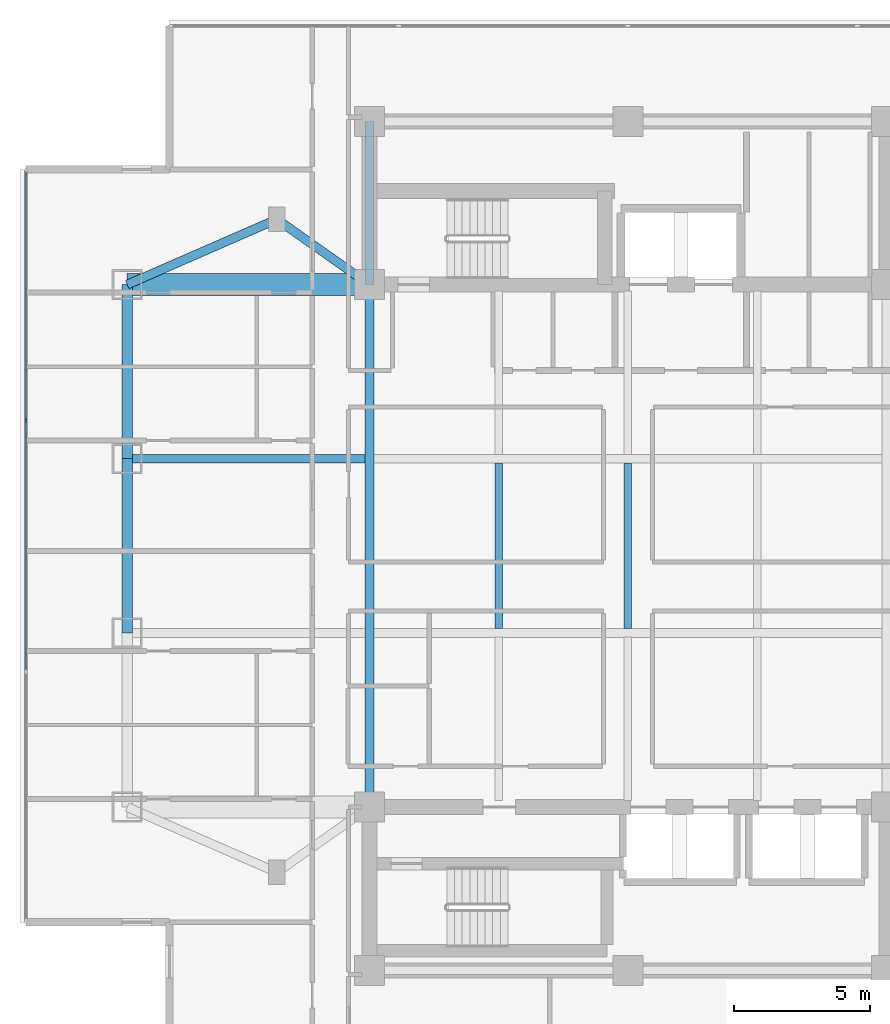
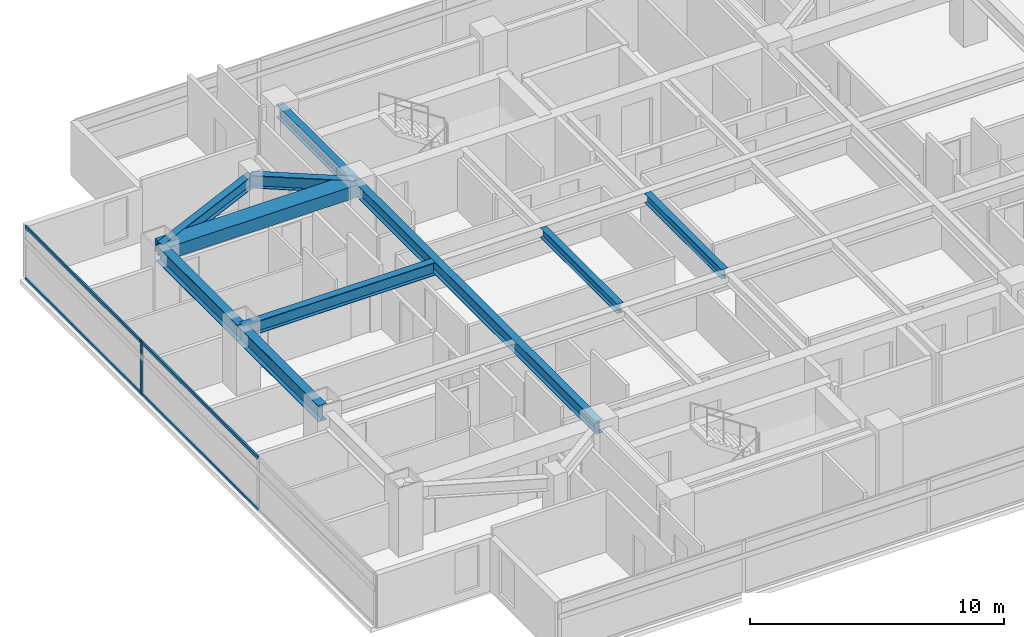
# One storey, part 3 of 24: 10 beams, 5 members, 1 element without a shape of its own.
"""IFC4 building model written with IfcOpenShell, lengths in metres."""

from ifc_helpers import new_model, si_unit, direction, frame, origin, origin_2d, place, context, subcontext, project, spatial, rectangle, i_section, extrude, material, material_profile, profile_set, type_object, element, aggregate, save


model = new_model("IFC4")

# Units and contexts
model_context = context("Model", 3, precision=1e-05, world=origin(), true_north=direction((0.0, 1.0)))
body_context = subcontext(model_context, "Body", "Model", "MODEL_VIEW")
ifc_project = project(units=[si_unit("LENGTHUNIT", "METRE"), si_unit("AREAUNIT", "SQUARE_METRE"), si_unit("VOLUMEUNIT", "CUBIC_METRE"), si_unit("PLANEANGLEUNIT", "RADIAN"), si_unit("MASSUNIT", "GRAM", prefix="KILO")], contexts=[model_context])

# Site, building, storey
site_placement = place(None, origin())
site = spatial("IfcSite", under=ifc_project, at=site_placement, CompositionType="ELEMENT")
building_placement = place(site_placement, origin())
building = spatial("IfcBuilding", under=site, at=building_placement, Name="Mirazonda Arch Towers", CompositionType="ELEMENT")
storey_placement = place(building_placement, frame((0.0, 0.0, 144.5)))
storey = spatial("IfcBuildingStorey", under=building, at=storey_placement, Name="L41", CompositionType="ELEMENT", Elevation=144.5)

# Beams
ifc_material_1 = material(Name="Steel ASTM A992 Grade 50", Category="steel")
ifc_material_profile_1 = material_profile(ifc_material_1, i_section(OverallWidth=0.381103515625, OverallDepth=0.77294921875, WebThickness=0.0166015625, FlangeThickness=0.027099609375, at=origin_2d()), Name="W30X173")
ifc_profile_set_1 = profile_set([ifc_material_profile_1], Name="Steel ASTM A992 Grade 50")
beam_type_1 = type_object("IfcBeamType", Name="BM-EXT-W30X173", PredefinedType="USERDEFINED", material=ifc_profile_set_1)
beam_1_placement = place(storey_placement, frame((2.10009765625, 24.800048828125, 2.553466796875), z_axis=(0.0, 1.0, 0.0), x_axis=(-1.0, 0.0, 0.0)))
element("IfcBeam", 1, at=beam_1_placement, inside=storey, type_object=beam_type_1, Name="L41 Floor Beam BMT-T1-L41-NS-W-24", ObjectType="GIRDER", PredefinedType="USERDEFINED", context=body_context, shape_type="SweptSolid", body=[
    extrude(i_section(OverallWidth=0.381103515625, OverallDepth=0.77294921875, WebThickness=0.0166015625, FlangeThickness=0.027099609375, at=origin_2d()), origin(), (0.0, 0.0, 1.0), 6.39990234375),
])
beam_2_placement = place(storey_placement, frame((2.10009765625, 31.199951171875, 2.553466796875), z_axis=(0.0, 1.0, 0.0), x_axis=(-1.0, 0.0, 0.0)))
element("IfcBeam", 2, at=beam_2_placement, inside=storey, type_object=beam_type_1, Name="L41 Floor Beam BMT-T1-L41-NS-W-31", ObjectType="GIRDER", PredefinedType="USERDEFINED", context=body_context, shape_type="SweptSolid", body=[
    extrude(i_section(OverallWidth=0.381103515625, OverallDepth=0.77294921875, WebThickness=0.0166015625, FlangeThickness=0.027099609375, at=origin_2d()), origin(), (0.0, 0.0, 1.0), 6.400146484375),
])
ifc_material_profile_2 = material_profile(ifc_material_1, i_section(OverallWidth=0.280029296875, OverallDepth=0.462890625, WebThickness=0.0107421875, FlangeThickness=0.017333984375, at=origin_2d()), Name="W18X76")
ifc_profile_set_2 = profile_set([ifc_material_profile_2], Name="Steel ASTM A992 Grade 50")
beam_type_2 = type_object("IfcBeamType", Name="BM-INT-W18X76", PredefinedType="JOIST", material=ifc_profile_set_2)
for number, where, z_axis, x_axis, name in (
    (3, (15.75, 24.95849609375, 2.70849609375), (0.0, 1.0, 0.0), (-1.0, 0.0, 0.0), "L41 Floor Beam BMT-T1-L41-J-157-24"),
    (4, (20.5, 24.95849609375, 2.70849609375), (0.0, 1.0, 0.0), (-1.0, 0.0, 0.0), "L41 Floor Beam BMT-T1-L41-J-205-24"),
):
    element("IfcBeam", number, at=place(storey_placement, frame(where, z_axis=z_axis, x_axis=x_axis)), inside=storey, type_object=beam_type_2, Name=name, PredefinedType="JOIST", context=body_context, shape_type="SweptSolid", body=[
        extrude(i_section(OverallWidth=0.280029296875, OverallDepth=0.462890625, WebThickness=0.0107421875, FlangeThickness=0.017333984375, at=origin_2d()), origin(), (0.0, 0.0, 1.0), 6.0830078125),
    ])
ifc_material_profile_3 = material_profile(ifc_material_1, i_section(OverallWidth=0.324951171875, OverallDepth=0.615966796875, WebThickness=0.013916015625, FlangeThickness=0.021484375, at=origin_2d()), Name="W24X117")
ifc_profile_set_3 = profile_set([ifc_material_profile_3], Name="Steel ASTM A992 Grade 50")
beam_type_3 = type_object("IfcBeamType", Name="BM-INT-W24X117", PredefinedType="BEAM", material=ifc_profile_set_3)
beam_3_placement = place(storey_placement, frame((2.10009765625, 31.199951171875, 2.632080078125), z_axis=(1.0, 0.0, 0.0), x_axis=(0.0, 1.0, 0.0)))
element("IfcBeam", 5, at=beam_3_placement, inside=storey, type_object=beam_type_3, Name="L41 Floor Beam BMT-T1-L41-GW3", PredefinedType="BEAM", context=body_context, shape_type="SweptSolid", body=[
    extrude(i_section(OverallWidth=0.324951171875, OverallDepth=0.615966796875, WebThickness=0.013916015625, FlangeThickness=0.021484375, at=origin_2d()), origin(), (0.0, 0.0, 1.0), 8.7373046875),
])
beam_4_placement = place(storey_placement, frame((11.0, 37.60009765625, 2.632080078125), z_axis=(0.0, 1.0, 0.0), x_axis=(-1.0, 0.0, 0.0)))
element("IfcBeam", 6, at=beam_4_placement, inside=storey, type_object=beam_type_3, Name="L41 Floor Beam BMT-T1-L41-CNW", PredefinedType="BEAM", context=body_context, shape_type="SweptSolid", body=[
    extrude(i_section(OverallWidth=0.324951171875, OverallDepth=0.615966796875, WebThickness=0.013916015625, FlangeThickness=0.021484375, at=origin_2d()), origin(), (0.0, 0.0, 1.0), 6.0),
])
beam_5_placement = place(storey_placement, frame((11.0, 18.39990234375, 2.632080078125), z_axis=(0.0, 1.0, 0.0), x_axis=(-1.0, 0.0, 0.0)))
element("IfcBeam", 7, at=beam_5_placement, inside=storey, type_object=beam_type_3, Name="L41 Floor Beam BMT-T1-L41-NS-CW-FULL", PredefinedType="BEAM", context=body_context, shape_type="SweptSolid", body=[
    extrude(i_section(OverallWidth=0.324951171875, OverallDepth=0.615966796875, WebThickness=0.013916015625, FlangeThickness=0.021484375, at=origin_2d()), origin(), (0.0, 0.0, 1.0), 19.2001953125),
])
beam_6_placement = place(storey_placement, frame((7.60009765625, 40.0, 2.632080078125), z_axis=(0.816971114901, -0.576678591087, 0.0), x_axis=(0.576678591087, 0.816971114901, 0.0)))
element("IfcBeam", 8, at=beam_6_placement, inside=storey, type_object=beam_type_3, Name="L41 Floor Beam BMT-T1-L41-PL-NW1", PredefinedType="BEAM", context=body_context, shape_type="SweptSolid", body=[
    extrude(i_section(OverallWidth=0.324951171875, OverallDepth=0.615966796875, WebThickness=0.013916015625, FlangeThickness=0.021484375, at=origin_2d()), origin(), (0.0, 0.0, 1.0), 4.16162109375),
])
beam_7_placement = place(storey_placement, frame((7.60009765625, 40.0, 2.632080078125), z_axis=(-0.916545343703, -0.399930785183, 0.0), x_axis=(0.399930785183, -0.916545343703, 0.0)))
element("IfcBeam", 9, at=beam_7_placement, inside=storey, type_object=beam_type_3, Name="L41 Floor Beam BMT-T1-L41-PL-NW2", PredefinedType="BEAM", context=body_context, shape_type="SweptSolid", body=[
    extrude(i_section(OverallWidth=0.324951171875, OverallDepth=0.615966796875, WebThickness=0.013916015625, FlangeThickness=0.021484375, at=origin_2d()), origin(), (0.0, 0.0, 1.0), 6.000732421875),
])
ifc_material_2 = material(Name="Concrete C60/75", Category="concrete")
ifc_material_profile_4 = material_profile(ifc_material_2, rectangle(XDim=0.800048828125, YDim=0.60009765625, at=origin_2d()), Name="RCCB800x600")
ifc_profile_set_4 = profile_set([ifc_material_profile_4], Name="Concrete C60/75")
beam_type_4 = type_object("IfcBeamType", Name="CB-INT-RCCB800x600", PredefinedType="SPANDREL", material=ifc_profile_set_4)
beam_8_placement = place(storey_placement, frame((2.10009765625, 37.60009765625, 2.639892578125), z_axis=(1.0, 0.0, 0.0), x_axis=(0.0, 1.0, 0.0)))
element("IfcBeam", 10, at=beam_8_placement, inside=storey, type_object=beam_type_4, Name="L41 Floor Beam CBC-T1-L41-NW", PredefinedType="SPANDREL", context=body_context, shape_type="SweptSolid", body=[
    extrude(rectangle(XDim=0.800048828125, YDim=0.60009765625, at=origin_2d()), origin(), (0.0, 0.0, 1.0), 8.89990234375),
])

# Curtain wall, members
ifc_material_3 = material(Name="Anodised Aluminium and Low-E Glass", Category="aluminium")
curtain_wall_type = type_object("IfcCurtainWallType", Name="CW-HTL-UNIT", PredefinedType="NOTDEFINED", material=ifc_material_3)
curtain_wall_placement = place(storey_placement, origin())
curtain_wall = element("IfcCurtainWall", 11, at=curtain_wall_placement, inside=storey, type_object=curtain_wall_type, Name="L41 T1 W Facade CW-L41-T1-W", PredefinedType="NOTDEFINED")
ifc_material_4 = material(Name="Anodised Aluminium Alloy", Category="aluminium")
ifc_material_profile_5 = material_profile(ifc_material_4, rectangle(XDim=0.074951171875, YDim=0.1650390625, at=origin_2d()), Name="ALU-MULL-75x165")
ifc_profile_set_5 = profile_set([ifc_material_profile_5], Name="Anodised Aluminium Alloy")
member_type_1 = type_object("IfcMemberType", Name="MULL-CW-HTL-UNIT", PredefinedType="MULLION", material=ifc_profile_set_5)
member_1_placement = place(storey_placement, frame((-1.6201171875, 32.611328125, 0.0), z_axis=(0.0, 0.0, 1.0), x_axis=(1.0, 0.0, 0.0)))
member_1 = element("IfcMember", 12, at=member_1_placement, type_object=member_type_1, Name="CW-112 mullion 2", PredefinedType="MULLION", context=body_context, shape_type="SweptSolid", body=[
    extrude(rectangle(XDim=0.074951171875, YDim=0.1650390625, at=origin_2d()), origin(), (0.0, 0.0, 1.0), 2.56005859375),
])
ifc_material_profile_6 = material_profile(ifc_material_4, rectangle(XDim=0.074951171875, YDim=0.14501953125, at=origin_2d()), Name="ALU-TRAN-75x145")
ifc_profile_set_6 = profile_set([ifc_material_profile_6], Name="Anodised Aluminium Alloy")
member_type_2 = type_object("IfcMemberType", Name="TRAN-CW-HTL-UNIT", PredefinedType="USERDEFINED", material=ifc_profile_set_6)
member_2_placement = place(storey_placement, frame((-1.6201171875, 41.759033203125, 0.03759765625), z_axis=(0.0, -1.0, 0.0), x_axis=(1.0, 0.0, 0.0)))
member_2 = element("IfcMember", 13, at=member_2_placement, type_object=member_type_2, Name="CW-112 transom 1.1", ObjectType="TRANSOM", PredefinedType="USERDEFINED", context=body_context, shape_type="SweptSolid", body=[
    extrude(rectangle(XDim=0.074951171875, YDim=0.14501953125, at=origin_2d()), origin(), (0.0, 0.0, 1.0), 9.110107421875),
])
member_3_placement = place(storey_placement, frame((-1.6201171875, 41.759033203125, 2.5224609375), z_axis=(0.0, -1.0, 0.0), x_axis=(1.0, 0.0, 0.0)))
member_3 = element("IfcMember", 14, at=member_3_placement, type_object=member_type_2, Name="CW-112 transom 1.2", ObjectType="TRANSOM", PredefinedType="USERDEFINED", context=body_context, shape_type="SweptSolid", body=[
    extrude(rectangle(XDim=0.074951171875, YDim=0.14501953125, at=origin_2d()), origin(), (0.0, 0.0, 1.0), 9.110107421875),
])
member_4_placement = place(storey_placement, frame((-1.6201171875, 32.57373046875, 0.03759765625), z_axis=(0.0, -1.0, 0.0), x_axis=(1.0, 0.0, 0.0)))
member_4 = element("IfcMember", 15, at=member_4_placement, type_object=member_type_2, Name="CW-112 transom 2.1", ObjectType="TRANSOM", PredefinedType="USERDEFINED", context=body_context, shape_type="SweptSolid", body=[
    extrude(rectangle(XDim=0.074951171875, YDim=0.14501953125, at=origin_2d()), origin(), (0.0, 0.0, 1.0), 9.1474609375),
])
member_5_placement = place(storey_placement, frame((-1.6201171875, 32.57373046875, 2.5224609375), z_axis=(0.0, -1.0, 0.0), x_axis=(1.0, 0.0, 0.0)))
member_5 = element("IfcMember", 16, at=member_5_placement, type_object=member_type_2, Name="CW-112 transom 2.2", ObjectType="TRANSOM", PredefinedType="USERDEFINED", context=body_context, shape_type="SweptSolid", body=[
    extrude(rectangle(XDim=0.074951171875, YDim=0.14501953125, at=origin_2d()), origin(), (0.0, 0.0, 1.0), 9.1474609375),
])
aggregate(curtain_wall, [member_1, member_2, member_3, member_4, member_5])

save(model, "model.ifc")
